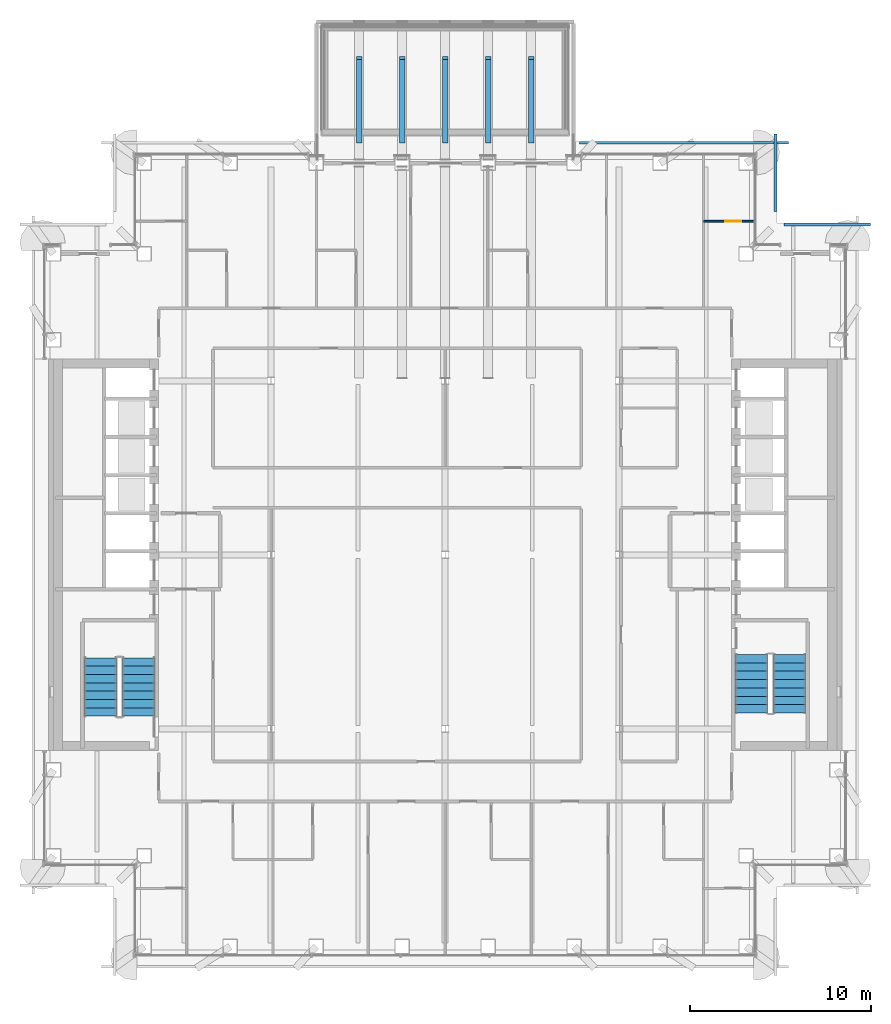
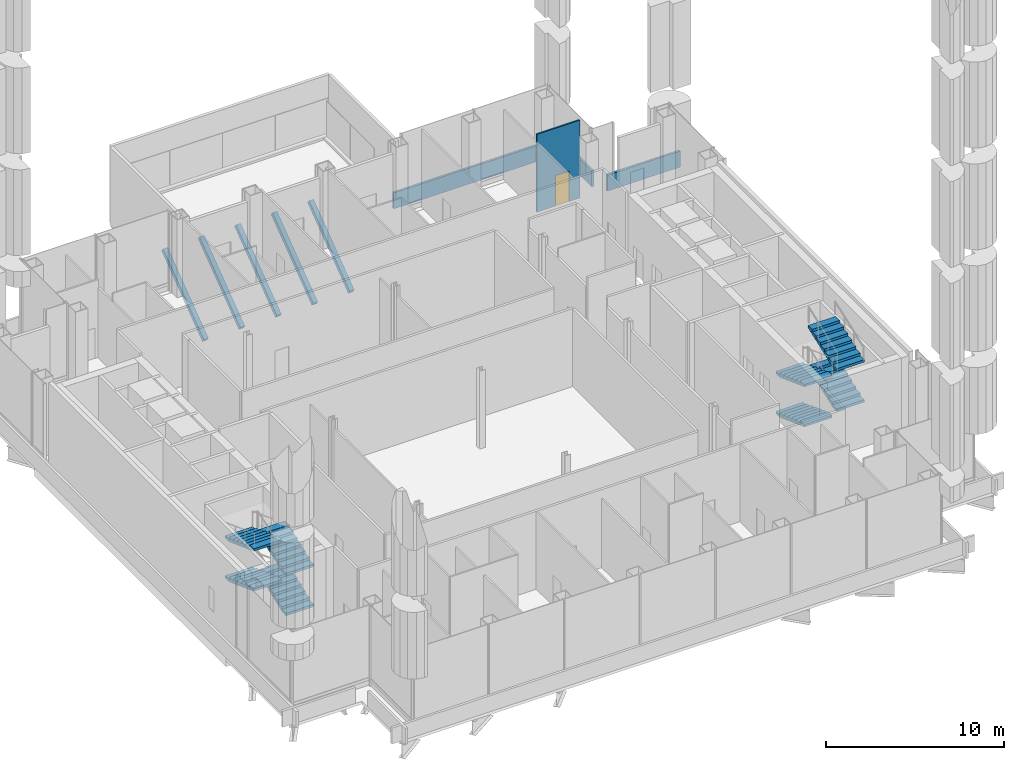
# One storey, part 14 of 22: 8 stair flights, 5 discrete accessories, 4 walls, 1 door, 1 opening, 2 elements without a shape of their own.
"""IFC4 building model written with IfcOpenShell, lengths in metres."""

from ifc_helpers import new_model, si_unit, direction, frame, frame_2d, origin, origin_2d, place, context, subcontext, project, spatial, polyline, rectangle, outline, extrude, material, layer, layer_set, material_profile, profile_set, type_object, element, fill, aggregate, save


model = new_model("IFC4")

# Units and contexts
model_context = context("Model", 3, precision=1e-05, world=origin(), true_north=direction((0.0, 1.0)))
body_context = subcontext(model_context, "Body", "Model", "MODEL_VIEW")
ifc_project = project(units=[si_unit("LENGTHUNIT", "METRE"), si_unit("AREAUNIT", "SQUARE_METRE"), si_unit("VOLUMEUNIT", "CUBIC_METRE"), si_unit("PLANEANGLEUNIT", "RADIAN"), si_unit("MASSUNIT", "GRAM", prefix="KILO")], contexts=[model_context])

# Site, building, storey
site_placement = place(None, origin())
site = spatial("IfcSite", under=ifc_project, at=site_placement, CompositionType="ELEMENT")
building_placement = place(site_placement, origin())
building = spatial("IfcBuilding", under=site, at=building_placement, Name="Cobrizo Arcos Hotel Tower", CompositionType="ELEMENT")
storey_placement = place(building_placement, frame((0.0, 0.0, 142.5)))
storey = spatial("IfcBuildingStorey", under=building, at=storey_placement, Name="L36", CompositionType="ELEMENT", Elevation=142.5)

# Walls
ifc_material_1 = material(Name="Aluminium composite panel pale metal", Category="aluminium")
ifc_layer_1 = layer(ifc_material_1, 0.14990234375)
ifc_layer_set_1 = layer_set([ifc_layer_1], Name="PW-3 terrace parapet wall")
wall_type_1 = type_object("IfcWallType", Name="PW-3 terrace parapet wall", PredefinedType="PARAPET", material=ifc_layer_set_1)
wall_1_placement = place(storey_placement, frame((23.449951171875, 18.22509765625, 0.0), z_axis=(0.0, 0.0, 1.0), x_axis=(-1.0, 0.0, 0.0)))
element("IfcWall", 1, at=wall_1_placement, inside=storey, type_object=wall_type_1, Name="Parapet L35 N", PredefinedType="PARAPET", context=body_context, shape_type="SweptSolid", body=[
    extrude(rectangle(XDim=4.75, YDim=0.14990234375, at=frame_2d((2.375, 0.0))), origin(), (0.0, 0.0, 1.0), 1.10009765625),
])
wall_2_placement = place(storey_placement, frame((18.22509765625, 18.949951171875, 0.0), z_axis=(0.0, 0.0, 1.0), x_axis=(0.0, 1.0, 0.0)))
element("IfcWall", 2, at=wall_2_placement, inside=storey, type_object=wall_type_1, Name="Parapet L35 E", PredefinedType="PARAPET", context=body_context, shape_type="SweptSolid", body=[
    extrude(rectangle(XDim=4.25, YDim=0.14990234375, at=frame_2d((2.125, 0.0))), origin(), (0.0, 0.0, 1.0), 1.10009765625),
])
wall_3_placement = place(storey_placement, frame((18.949951171875, 22.72509765625, 0.0), z_axis=(0.0, 0.0, 1.0), x_axis=(-1.0, 0.0, 0.0)))
element("IfcWall", 3, at=wall_3_placement, inside=storey, type_object=wall_type_1, Name="Parapet L35 N", PredefinedType="PARAPET", context=body_context, shape_type="SweptSolid", body=[
    extrude(rectangle(XDim=11.535888671875, YDim=0.14990234375, at=frame_2d((5.76806640625, 0.0))), origin(), (0.0, 0.0, 1.0), 1.10009765625),
])

# Wall, opening, door
ifc_material_2 = material(Name="Gypsum board partition")
ifc_layer_2 = layer(ifc_material_2, 0.10009765625)
ifc_layer_set_2 = layer_set([ifc_layer_2], Name="Partition EI 30 100")
wall_type_2 = type_object("IfcWallType", Name="Partition EI 30 100", PredefinedType="PARTITIONING", material=ifc_layer_set_2)
wall_4_placement = place(storey_placement, frame((14.25, 18.39990234375, 0.0), z_axis=(0.0, 0.0, 1.0), x_axis=(1.0, 0.0, 0.0)))
wall_4 = element("IfcWall", 4, at=wall_4_placement, inside=storey, type_object=wall_type_2, Name="Partition 041", PredefinedType="PARTITIONING", context=body_context, shape_type="SweptSolid", body=[
    extrude(rectangle(XDim=2.780029296875, YDim=0.10009765625, at=frame_2d((1.39013671875, 0.0))), origin(), (0.0, 0.0, 1.0), 5.35009765625),
])
opening_placement = place(wall_4_placement, frame((1.18896484375, 0.0, 0.0)))
opening = element("IfcOpeningElement", 5, at=opening_placement, cuts=wall_4, Name="Opening ED-11", PredefinedType="OPENING", context=body_context, shape_type="SweptSolid", body=[
    extrude(rectangle(XDim=0.89990234375, YDim=2.10009765625, at=frame_2d((0.449951171875, 1.050048828125))), frame((0.0, 0.06201171875, 0.0), z_axis=(0.0, -1.0, 0.0), x_axis=(1.0, 0.0, 0.0)), (0.0, 0.0, 1.0), 0.1240234375),
])
ifc_material_3 = material(Name="Timber door leaf", Category="wood")
door_type = type_object("IfcDoorType", Name="En-suite door 900x2100", OperationType="SINGLE_SWING_LEFT", PredefinedType="DOOR", material=ifc_material_3)
door_placement = place(opening_placement, origin())
door = element("IfcDoor", 6, at=door_placement, inside=storey, type_object=door_type, Name="Door ED-11", OperationType="SINGLE_SWING_RIGHT", OverallHeight=2.10009765625, OverallWidth=0.89990234375, PredefinedType="DOOR", context=body_context, shape_type="SweptSolid", body=[
    extrude(rectangle(XDim=0.89990234375, YDim=2.10009765625, at=frame_2d((0.449951171875, 1.050048828125))), frame((0.0, 0.02490234375, 0.0), z_axis=(0.0, -1.0, 0.0), x_axis=(1.0, 0.0, 0.0)), (0.0, 0.0, 1.0), 0.050048828125),
])
fill(opening, door)

# Stair, stair flights
ifc_material_4 = material(Name="Concrete f'c 40 MPa", Category="concrete")
stair_type = type_object("IfcStairType", Name="Exit stair", PredefinedType="HALF_TURN_STAIR", material=ifc_material_4)
stair_1_placement = place(storey_placement, origin())
stair_1 = element("IfcStair", 7, at=stair_1_placement, inside=storey, type_object=stair_type, Name="L36 Exit stair ST-W", PredefinedType="HALF_TURN_STAIR")
stair_flight_type = type_object("IfcStairFlightType", Name="Exit stair flight", PredefinedType="STRAIGHT", material=ifc_material_4)
stair_flight_1_placement = place(storey_placement, frame((-16.89990234375, -8.89990234375, 0.0), z_axis=(0.0, 0.0, 1.0), x_axis=(0.0, 1.0, 0.0)))
stair_flight_1 = element("IfcStairFlight", 8, at=stair_flight_1_placement, type_object=stair_flight_type, Name="ST-W flight 1", NumberOfRisers=8, NumberOfTreads=7, PredefinedType="STRAIGHT", RiserHeight=0.171875, TreadLength=0.46, context=body_context, shape_type="SweptSolid", body=[
    extrude(outline(polyline([(0.0, 0.0), (0.0, 0.171875), (0.4599609375, 0.171875), (0.4599609375, 0.34375), (0.919921875, 0.34375), (0.919921875, 0.515625), (1.3798828125, 0.515625), (1.3798828125, 0.6875), (1.840087890625, 0.6875), (1.840087890625, 0.859375), (2.300048828125, 0.859375), (2.300048828125, 1.03125), (2.760009765625, 1.03125), (2.760009765625, 1.203125), (3.219970703125, 1.203125), (3.219970703125, 1.375), (3.219970703125, 1.043212890625), (0.42822265625, 0.0), (0.0, 0.0)])), frame((0.0, 0.89990234375, 0.0), z_axis=(0.0, -1.0, 0.0), x_axis=(1.0, 0.0, 0.0)), (0.0, 0.0, 1.0), 1.800048828125),
])
stair_flight_2_placement = place(storey_placement, frame((-19.0, -5.679931640625, 1.375), z_axis=(0.0, 0.0, 1.0), x_axis=(0.0, -1.0, 0.0)))
stair_flight_2 = element("IfcStairFlight", 9, at=stair_flight_2_placement, type_object=stair_flight_type, Name="ST-W flight 2", NumberOfRisers=8, NumberOfTreads=7, PredefinedType="STRAIGHT", RiserHeight=0.171875, TreadLength=0.46, context=body_context, shape_type="SweptSolid", body=[
    extrude(outline(polyline([(0.0, 0.0), (0.0, 0.171875), (0.4599609375, 0.171875), (0.4599609375, 0.34375), (0.919921875, 0.34375), (0.919921875, 0.515625), (1.3798828125, 0.515625), (1.3798828125, 0.6875), (1.840087890625, 0.6875), (1.840087890625, 0.859375), (2.300048828125, 0.859375), (2.300048828125, 1.03125), (2.760009765625, 1.03125), (2.760009765625, 1.203125), (3.219970703125, 1.203125), (3.219970703125, 1.375), (3.219970703125, 1.043212890625), (0.42822265625, 0.0), (0.0, 0.0)])), frame((0.0, 0.89990234375, 0.0), z_axis=(0.0, -1.0, 0.0), x_axis=(1.0, 0.0, 0.0)), (0.0, 0.0, 1.0), 1.800048828125),
])
stair_flight_3_placement = place(storey_placement, frame((-16.89990234375, -8.89990234375, 2.75), z_axis=(0.0, 0.0, 1.0), x_axis=(0.0, 1.0, 0.0)))
stair_flight_3 = element("IfcStairFlight", 10, at=stair_flight_3_placement, type_object=stair_flight_type, Name="ST-W flight 3", NumberOfRisers=8, NumberOfTreads=7, PredefinedType="STRAIGHT", RiserHeight=0.171875, TreadLength=0.46, context=body_context, shape_type="SweptSolid", body=[
    extrude(outline(polyline([(0.0, 0.0), (0.0, 0.171875), (0.4599609375, 0.171875), (0.4599609375, 0.34375), (0.919921875, 0.34375), (0.919921875, 0.515625), (1.3798828125, 0.515625), (1.3798828125, 0.6875), (1.840087890625, 0.6875), (1.840087890625, 0.859375), (2.300048828125, 0.859375), (2.300048828125, 1.03125), (2.760009765625, 1.03125), (2.760009765625, 1.203125), (3.219970703125, 1.203125), (3.219970703125, 1.375), (3.219970703125, 1.043212890625), (0.42822265625, 0.0), (0.0, 0.0)])), frame((0.0, 0.89990234375, 0.0), z_axis=(0.0, -1.0, 0.0), x_axis=(1.0, 0.0, 0.0)), (0.0, 0.0, 1.0), 1.800048828125),
])
stair_flight_4_placement = place(storey_placement, frame((-19.0, -5.679931640625, 4.125), z_axis=(0.0, 0.0, 1.0), x_axis=(0.0, -1.0, 0.0)))
stair_flight_4 = element("IfcStairFlight", 11, at=stair_flight_4_placement, type_object=stair_flight_type, Name="ST-W flight 4", NumberOfRisers=8, NumberOfTreads=7, PredefinedType="STRAIGHT", RiserHeight=0.171875, TreadLength=0.46, context=body_context, shape_type="SweptSolid", body=[
    extrude(outline(polyline([(0.0, 0.0), (0.0, 0.171875), (0.4599609375, 0.171875), (0.4599609375, 0.34375), (0.919921875, 0.34375), (0.919921875, 0.515625), (1.3798828125, 0.515625), (1.3798828125, 0.6875), (1.840087890625, 0.6875), (1.840087890625, 0.859375), (2.300048828125, 0.859375), (2.300048828125, 1.03125), (2.760009765625, 1.03125), (2.760009765625, 1.203125), (3.219970703125, 1.203125), (3.219970703125, 1.375), (3.219970703125, 1.043212890625), (0.42822265625, 0.0), (0.0, 0.0)])), frame((0.0, 0.89990234375, 0.0), z_axis=(0.0, -1.0, 0.0), x_axis=(1.0, 0.0, 0.0)), (0.0, 0.0, 1.0), 1.800048828125),
])
aggregate(stair_1, [stair_flight_1, stair_flight_2, stair_flight_3, stair_flight_4])

stair_2_placement = place(storey_placement, origin())
stair_2 = element("IfcStair", 12, at=stair_2_placement, inside=storey, type_object=stair_type, Name="L36 Exit stair ST-E", PredefinedType="HALF_TURN_STAIR")
stair_flight_5_placement = place(storey_placement, frame((16.89990234375, -5.5, 0.0), z_axis=(0.0, 0.0, 1.0), x_axis=(0.0, -1.0, 0.0)))
stair_flight_5 = element("IfcStairFlight", 13, at=stair_flight_5_placement, type_object=stair_flight_type, Name="ST-E flight 1", NumberOfRisers=8, NumberOfTreads=7, PredefinedType="STRAIGHT", RiserHeight=0.171875, TreadLength=0.46, context=body_context, shape_type="SweptSolid", body=[
    extrude(outline(polyline([(0.0, 0.0), (0.0, 0.171875), (0.4599609375, 0.171875), (0.4599609375, 0.34375), (0.919921875, 0.34375), (0.919921875, 0.515625), (1.3798828125, 0.515625), (1.3798828125, 0.6875), (1.840087890625, 0.6875), (1.840087890625, 0.859375), (2.300048828125, 0.859375), (2.300048828125, 1.03125), (2.760009765625, 1.03125), (2.760009765625, 1.203125), (3.219970703125, 1.203125), (3.219970703125, 1.375), (3.219970703125, 1.043212890625), (0.42822265625, 0.0), (0.0, 0.0)])), frame((0.0, 0.89990234375, 0.0), z_axis=(0.0, -1.0, 0.0), x_axis=(1.0, 0.0, 0.0)), (0.0, 0.0, 1.0), 1.800048828125),
])
stair_flight_6_placement = place(storey_placement, frame((19.0, -8.719970703125, 1.375), z_axis=(0.0, 0.0, 1.0), x_axis=(0.0, 1.0, 0.0)))
stair_flight_6 = element("IfcStairFlight", 14, at=stair_flight_6_placement, type_object=stair_flight_type, Name="ST-E flight 2", NumberOfRisers=8, NumberOfTreads=7, PredefinedType="STRAIGHT", RiserHeight=0.171875, TreadLength=0.46, context=body_context, shape_type="SweptSolid", body=[
    extrude(outline(polyline([(0.0, 0.0), (0.0, 0.171875), (0.4599609375, 0.171875), (0.4599609375, 0.34375), (0.919921875, 0.34375), (0.919921875, 0.515625), (1.3798828125, 0.515625), (1.3798828125, 0.6875), (1.840087890625, 0.6875), (1.840087890625, 0.859375), (2.300048828125, 0.859375), (2.300048828125, 1.03125), (2.760009765625, 1.03125), (2.760009765625, 1.203125), (3.219970703125, 1.203125), (3.219970703125, 1.375), (3.219970703125, 1.043212890625), (0.42822265625, 0.0), (0.0, 0.0)])), frame((0.0, 0.89990234375, 0.0), z_axis=(0.0, -1.0, 0.0), x_axis=(1.0, 0.0, 0.0)), (0.0, 0.0, 1.0), 1.800048828125),
])
stair_flight_7_placement = place(storey_placement, frame((16.89990234375, -5.5, 2.75), z_axis=(0.0, 0.0, 1.0), x_axis=(0.0, -1.0, 0.0)))
stair_flight_7 = element("IfcStairFlight", 15, at=stair_flight_7_placement, type_object=stair_flight_type, Name="ST-E flight 3", NumberOfRisers=8, NumberOfTreads=7, PredefinedType="STRAIGHT", RiserHeight=0.171875, TreadLength=0.46, context=body_context, shape_type="SweptSolid", body=[
    extrude(outline(polyline([(0.0, 0.0), (0.0, 0.171875), (0.4599609375, 0.171875), (0.4599609375, 0.34375), (0.919921875, 0.34375), (0.919921875, 0.515625), (1.3798828125, 0.515625), (1.3798828125, 0.6875), (1.840087890625, 0.6875), (1.840087890625, 0.859375), (2.300048828125, 0.859375), (2.300048828125, 1.03125), (2.760009765625, 1.03125), (2.760009765625, 1.203125), (3.219970703125, 1.203125), (3.219970703125, 1.375), (3.219970703125, 1.043212890625), (0.42822265625, 0.0), (0.0, 0.0)])), frame((0.0, 0.89990234375, 0.0), z_axis=(0.0, -1.0, 0.0), x_axis=(1.0, 0.0, 0.0)), (0.0, 0.0, 1.0), 1.800048828125),
])
stair_flight_8_placement = place(storey_placement, frame((19.0, -8.719970703125, 4.125), z_axis=(0.0, 0.0, 1.0), x_axis=(0.0, 1.0, 0.0)))
stair_flight_8 = element("IfcStairFlight", 16, at=stair_flight_8_placement, type_object=stair_flight_type, Name="ST-E flight 4", NumberOfRisers=8, NumberOfTreads=7, PredefinedType="STRAIGHT", RiserHeight=0.171875, TreadLength=0.46, context=body_context, shape_type="SweptSolid", body=[
    extrude(outline(polyline([(0.0, 0.0), (0.0, 0.171875), (0.4599609375, 0.171875), (0.4599609375, 0.34375), (0.919921875, 0.34375), (0.919921875, 0.515625), (1.3798828125, 0.515625), (1.3798828125, 0.6875), (1.840087890625, 0.6875), (1.840087890625, 0.859375), (2.300048828125, 0.859375), (2.300048828125, 1.03125), (2.760009765625, 1.03125), (2.760009765625, 1.203125), (3.219970703125, 1.203125), (3.219970703125, 1.375), (3.219970703125, 1.043212890625), (0.42822265625, 0.0), (0.0, 0.0)])), frame((0.0, 0.89990234375, 0.0), z_axis=(0.0, -1.0, 0.0), x_axis=(1.0, 0.0, 0.0)), (0.0, 0.0, 1.0), 1.800048828125),
])
aggregate(stair_2, [stair_flight_5, stair_flight_6, stair_flight_7, stair_flight_8])

# Discrete accessories
ifc_material_5 = material(Name="Steel ASTM A500 Grade C", Category="steel")
ifc_material_profile = material_profile(ifc_material_5, rectangle(XDim=0.300048828125, YDim=0.300048828125, at=origin_2d()), Name="PS-1 pool deck strut 300")
ifc_profile_set = profile_set([ifc_material_profile], Name="Steel ASTM A500 Grade C")
discrete_accessory_type = type_object("IfcDiscreteAccessoryType", Name="PS-1 pool deck strut 300", PredefinedType="BRACKET", material=ifc_profile_set)
for number, where, z_axis, x_axis, name in (
    (17, (-4.742919921875, 22.800048828125, -4.830078125), (0.0, 0.799159380005, 0.601119193962), (-1.0, 0.0, 0.0), "Pool deck strut 1"),
    (18, (-2.371337890625, 22.800048828125, -4.830078125), (0.0, 0.799159380005, 0.601119193962), (-1.0, 0.0, 0.0), "Pool deck strut 2"),
    (19, (0.0, 22.800048828125, -4.830078125), (0.0, 0.799159380005, 0.601119193962), (-1.0, 0.0, 0.0), "Pool deck strut 3"),
    (20, (2.371337890625, 22.800048828125, -4.830078125), (0.0, 0.799159380005, 0.601119193962), (-1.0, 0.0, 0.0), "Pool deck strut 4"),
    (21, (4.742919921875, 22.800048828125, -4.830078125), (0.0, 0.799159380005, 0.601119193962), (-1.0, 0.0, 0.0), "Pool deck strut 5"),
):
    element("IfcDiscreteAccessory", number, at=place(storey_placement, frame(where, z_axis=z_axis, x_axis=x_axis)), inside=storey, type_object=discrete_accessory_type, Name=name, PredefinedType="BRACKET", context=body_context, shape_type="SweptSolid", body=[
        extrude(rectangle(XDim=0.300048828125, YDim=0.300048828125, at=origin_2d()), origin(), (0.0, 0.0, 1.0), 5.755859375),
    ])

save(model, "model.ifc")
